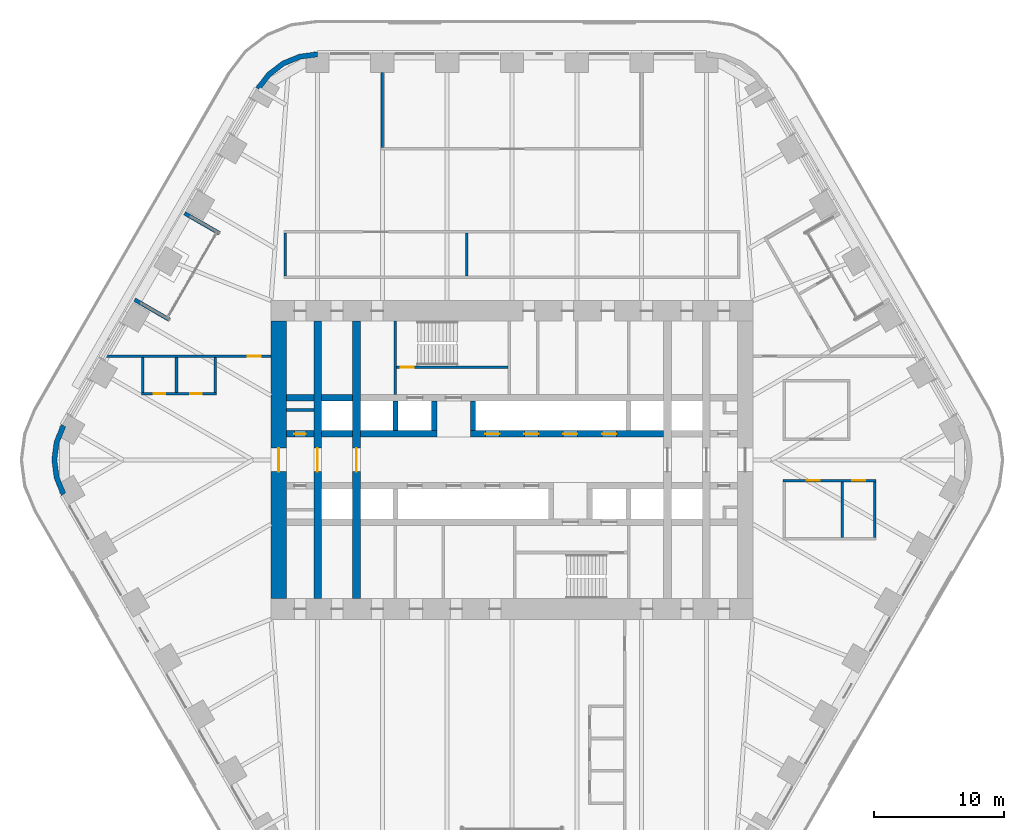
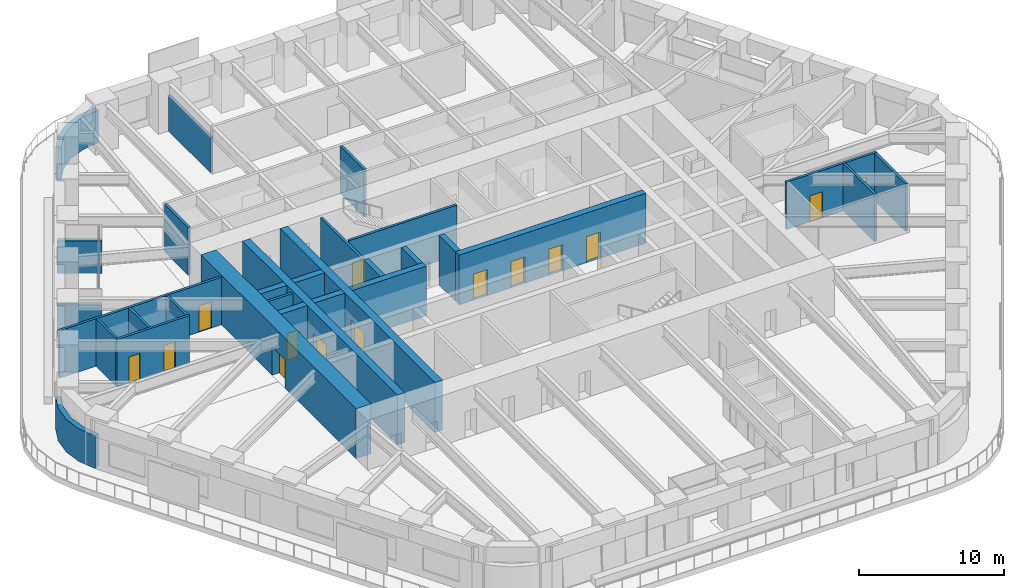
# One storey, part 19 of 24: 30 walls, 14 doors, 14 openings.
"""IFC4 building model written with IfcOpenShell, lengths in metres."""

from ifc_helpers import new_model, si_unit, direction, frame, frame_2d, origin, place, context, subcontext, project, spatial, polyline, rectangle, outline, extrude, material, layer, layer_set, type_object, element, fill, save


model = new_model("IFC4")

# Units and contexts
model_context = context("Model", 3, precision=1e-05, world=origin(), true_north=direction((0.0, 1.0)))
body_context = subcontext(model_context, "Body", "Model", "MODEL_VIEW")
ifc_project = project(units=[si_unit("LENGTHUNIT", "METRE"), si_unit("AREAUNIT", "SQUARE_METRE"), si_unit("VOLUMEUNIT", "CUBIC_METRE"), si_unit("PLANEANGLEUNIT", "RADIAN"), si_unit("MASSUNIT", "GRAM", prefix="KILO")], contexts=[model_context])

# Site, building, storey
site_placement = place(None, origin())
site = spatial("IfcSite", under=ifc_project, at=site_placement, CompositionType="ELEMENT")
building_placement = place(site_placement, origin())
building = spatial("IfcBuilding", under=site, at=building_placement, Name="Tarfa Lantern Tower", CompositionType="ELEMENT")
storey_placement = place(building_placement, frame((0.0, 0.0, 136.300048828125)))
storey = spatial("IfcBuildingStorey", under=building, at=storey_placement, Name="L30", CompositionType="ELEMENT", Elevation=136.300048828125)

# Walls
ifc_material_1 = material(Name="Limestone cladding on blockwork", Category="masonry")
ifc_layer_1 = layer(ifc_material_1, 0.300048828125)
ifc_layer_set_1 = layer_set([ifc_layer_1], Name="EW1 STONE-CLAD WALL 300")
wall_type_1 = type_object("IfcWallType", Name="EW1 STONE-CLAD WALL 300", PredefinedType="SOLIDWALL", material=ifc_layer_set_1)
wall_1_placement = place(storey_placement, frame((-25.266357421875, 19.037353515625, 0.0), z_axis=(0.0, 0.0, 1.0), x_axis=(0.86600983753, -0.500026960575, 0.0)))
element("IfcWall", 1, at=wall_1_placement, inside=storey, type_object=wall_type_1, Name="Loggia return NW 1", PredefinedType="SOLIDWALL", context=body_context, shape_type="SweptSolid", body=[
    extrude(rectangle(XDim=3.099853515625, YDim=0.300048828125, at=frame_2d((1.5498046875, 0.0))), origin(), (0.0, 0.0, 1.0), 2.75),
])
wall_2_placement = place(storey_placement, frame((-29.1201171875, 12.362548828125, 0.0), z_axis=(0.0, 0.0, 1.0), x_axis=(0.86602952684, -0.49999285859, 0.0)))
element("IfcWall", 2, at=wall_2_placement, inside=storey, type_object=wall_type_1, Name="Loggia return NW 2", PredefinedType="SOLIDWALL", context=body_context, shape_type="SweptSolid", body=[
    extrude(rectangle(XDim=3.10009765625, YDim=0.300048828125, at=frame_2d((1.550048828125, 0.0))), origin(), (0.0, 0.0, 1.0), 2.75),
])
ifc_layer_2 = layer(ifc_material_1, 0.39990234375)
ifc_layer_set_2 = layer_set([ifc_layer_2], Name="EW2 CURVED STONE CORNER 400")
wall_type_2 = type_object("IfcWallType", Name="EW2 CURVED STONE CORNER 400", PredefinedType="SOLIDWALL", material=ifc_layer_set_2)
wall_3_placement = place(storey_placement, origin())
element("IfcWall", 3, at=wall_3_placement, inside=storey, type_object=wall_type_2, Name="Stone corner N-NW", PredefinedType="SOLIDWALL", context=body_context, shape_type="SweptSolid", body=[
    extrude(outline(polyline([(-15.010986328125, 31.5), (-16.4345703125, 31.3125), (-17.760986328125, 30.76318359375), (-18.900146484375, 29.88916015625), (-19.774169921875, 28.75), (-19.427734375, 28.550048828125), (-18.617431640625, 29.606201171875), (-17.56103515625, 30.416748046875), (-16.3310546875, 30.92626953125), (-15.010986328125, 31.10009765625), (-15.010986328125, 31.5)])), origin(), (0.0, 0.0, 1.0), 2.75),
])
wall_4_placement = place(storey_placement, origin())
element("IfcWall", 4, at=wall_4_placement, inside=storey, type_object=wall_type_2, Name="Stone corner NW-SW", PredefinedType="SOLIDWALL", context=body_context, shape_type="SweptSolid", body=[
    extrude(outline(polyline([(-34.785400390625, 2.75), (-35.334716796875, 1.423583984375), (-35.522216796875, 0.0), (-35.334716796875, -1.423583984375), (-34.785400390625, -2.75), (-34.43896484375, -2.550048828125), (-34.948486328125, -1.320068359375), (-35.122314453125, 0.0), (-34.948486328125, 1.320068359375), (-34.43896484375, 2.550048828125), (-34.785400390625, 2.75)])), origin(), (0.0, 0.0, 1.0), 2.75),
])
ifc_material_2 = material(Name="Concrete blockwork", Category="masonry")
ifc_layer_3 = layer(ifc_material_2, 0.199951171875)
ifc_layer_set_3 = layer_set([ifc_layer_3], Name="IW1 BLOCKWORK PARTITION 200 EI 120")
wall_type_3 = type_object("IfcWallType", Name="IW1 BLOCKWORK PARTITION 200 EI 120", PredefinedType="PARTITIONING", material=ifc_layer_set_3)
wall_5_placement = place(storey_placement, frame((-9.0, 5.050048828125, 0.0), z_axis=(0.0, 0.0, 1.0), x_axis=(0.0, 1.0, 0.0)))
element("IfcWall", 5, at=wall_5_placement, inside=storey, type_object=wall_type_3, Name="Core partition", PredefinedType="PARTITIONING", context=body_context, shape_type="SweptSolid", body=[
    extrude(rectangle(XDim=5.64990234375, YDim=0.199951171875, at=frame_2d((2.824951171875, 0.0))), origin(), (0.0, 0.0, 1.0), 4.0),
])
wall_6_placement = place(storey_placement, frame((-17.39990234375, 3.85009765625, 0.0), z_axis=(0.0, 0.0, 1.0), x_axis=(1.0, 0.0, 0.0)))
element("IfcWall", 6, at=wall_6_placement, inside=storey, type_object=wall_type_3, Name="Core partition", PredefinedType="PARTITIONING", context=body_context, shape_type="SweptSolid", body=[
    extrude(rectangle(XDim=2.099853515625, YDim=0.199951171875, at=frame_2d((1.0498046875, 0.0))), origin(), (0.0, 0.0, 1.0), 4.0),
])
ifc_material_3 = material(Name="Gypsum board on steel studs", Category="steel")
ifc_layer_4 = layer(ifc_material_3, 0.2099609375)
ifc_layer_set_4 = layer_set([ifc_layer_4], Name="IW2 ACOUSTIC PARTITION 200")
wall_type_4 = type_object("IfcWallType", Name="IW2 ACOUSTIC PARTITION 200", PredefinedType="PARTITIONING", material=ifc_layer_set_4)
for number, where, z_axis, x_axis, name in (
    (7, (-17.5, 14.199951171875, 0.0), (0.0, 0.0, 1.0), (0.0, 1.0, 0.0), "Partition"),
    (8, (-3.5, 14.199951171875, 0.0), (0.0, 0.0, 1.0), (0.0, 1.0, 0.0), "Partition"),
):
    element("IfcWall", number, at=place(storey_placement, frame(where, z_axis=z_axis, x_axis=x_axis)), inside=storey, type_object=wall_type_4, Name=name, PredefinedType="PARTITIONING", context=body_context, shape_type="SweptSolid", body=[
        extrude(rectangle(XDim=3.300048828125, YDim=0.199951171875, at=frame_2d((1.64990234375, 0.0))), origin(), (0.0, 0.0, 1.0), 4.0),
    ])
wall_7_placement = place(storey_placement, frame((-10.00732421875, 24.10009765625, 0.0), z_axis=(0.0, 0.0, 1.0), x_axis=(0.0, 1.0, 0.0)))
element("IfcWall", 9, at=wall_7_placement, inside=storey, type_object=wall_type_4, Name="Partition", PredefinedType="PARTITIONING", context=body_context, shape_type="SweptSolid", body=[
    extrude(rectangle(XDim=5.7998046875, YDim=0.199951171875, at=frame_2d((2.89990234375, 0.0))), origin(), (0.0, 0.0, 1.0), 2.991943359375),
])

# Wall, openings, doors
wall_8_placement = place(storey_placement, frame((20.89990234375, -1.60009765625, 0.0), z_axis=(0.0, 0.0, 1.0), x_axis=(1.0, 0.0, 0.0)))
wall_8 = element("IfcWall", 10, at=wall_8_placement, inside=storey, type_object=wall_type_4, Name="Partition", PredefinedType="PARTITIONING", context=body_context, shape_type="SweptSolid", body=[
    extrude(rectangle(XDim=7.2001953125, YDim=0.199951171875, at=frame_2d((3.60009765625, 0.0))), origin(), (0.0, 0.0, 1.0), 4.0),
])
opening_1_placement = place(wall_8_placement, frame((1.85009765625, 0.0, 0.0)))
opening_1 = element("IfcOpeningElement", 11, at=opening_1_placement, cuts=wall_8, Name="Opening D34", PredefinedType="OPENING", context=body_context, shape_type="SweptSolid", body=[
    extrude(rectangle(XDim=1.0, YDim=2.199951171875, at=frame_2d((0.5, 1.10009765625))), frame((0.0, 0.10986328125, 0.0), z_axis=(0.0, -1.0, 0.0), x_axis=(1.0, 0.0, 0.0)), (0.0, 0.0, 1.0), 0.219970703125),
])
opening_2_placement = place(wall_8_placement, frame((5.35009765625, 0.0, 0.0)))
opening_2 = element("IfcOpeningElement", 12, at=opening_2_placement, cuts=wall_8, Name="Opening D35", PredefinedType="OPENING", context=body_context, shape_type="SweptSolid", body=[
    extrude(rectangle(XDim=1.0, YDim=2.199951171875, at=frame_2d((0.5, 1.10009765625))), frame((0.0, 0.10986328125, 0.0), z_axis=(0.0, -1.0, 0.0), x_axis=(1.0, 0.0, 0.0)), (0.0, 0.0, 1.0), 0.219970703125),
])
ifc_material_4 = material(Name="Timber door", Category="wood")
door_type_1 = type_object("IfcDoorType", Name="DR1 ROOM DOOR 1000x2200", OperationType="SINGLE_SWING_LEFT", PredefinedType="DOOR", material=ifc_material_4)
door_1_placement = place(opening_1_placement, frame((1.0, 0.0, 0.0), z_axis=(0.0, 0.0, 1.0), x_axis=(-1.0, 0.0, 0.0)))
door_1 = element("IfcDoor", 13, at=door_1_placement, inside=storey, type_object=door_type_1, Name="Pantry door", OperationType="SINGLE_SWING_LEFT", OverallHeight=2.199951171875, OverallWidth=1.0, PredefinedType="DOOR", context=body_context, shape_type="SweptSolid", body=[
    extrude(rectangle(XDim=1.0, YDim=2.199951171875, at=frame_2d((0.5, 1.10009765625))), frame((0.0, 0.02490234375, 0.0), z_axis=(0.0, -1.0, 0.0), x_axis=(1.0, 0.0, 0.0)), (0.0, 0.0, 1.0), 0.050048828125),
])
fill(opening_1, door_1)
door_2_placement = place(opening_2_placement, frame((1.0, 0.0, 0.0), z_axis=(0.0, 0.0, 1.0), x_axis=(-1.0, 0.0, 0.0)))
door_2 = element("IfcDoor", 14, at=door_2_placement, inside=storey, type_object=door_type_1, Name="Print room door", OperationType="SINGLE_SWING_RIGHT", OverallHeight=2.199951171875, OverallWidth=1.0, PredefinedType="DOOR", context=body_context, shape_type="SweptSolid", body=[
    extrude(rectangle(XDim=1.0, YDim=2.199951171875, at=frame_2d((0.5, 1.10009765625))), frame((0.0, 0.02490234375, 0.0), z_axis=(0.0, -1.0, 0.0), x_axis=(1.0, 0.0, 0.0)), (0.0, 0.0, 1.0), 0.050048828125),
])
fill(opening_2, door_2)

# Walls
for number, where, z_axis, x_axis, name in (
    (15, (25.5, -1.699951171875, 0.0), (0.0, 0.0, 1.0), (0.0, -1.0, 0.0), "Partition"),
    (16, (28.0, -1.699951171875, 0.0), (0.0, 0.0, 1.0), (0.0, -1.0, 0.0), "Partition"),
):
    element("IfcWall", number, at=place(storey_placement, frame(where, z_axis=z_axis, x_axis=x_axis)), inside=storey, type_object=wall_type_4, Name=name, PredefinedType="PARTITIONING", context=body_context, shape_type="SweptSolid", body=[
        extrude(rectangle(XDim=4.300048828125, YDim=0.199951171875, at=frame_2d((2.14990234375, 0.0))), origin(), (0.0, 0.0, 1.0), 4.0),
    ])

# Wall, opening, door
wall_9_placement = place(storey_placement, frame((-18.60009765625, 8.0, 0.0), z_axis=(0.0, 0.0, 1.0), x_axis=(-1.0, 0.0, 0.0)))
wall_9 = element("IfcWall", 17, at=wall_9_placement, inside=storey, type_object=wall_type_4, Name="Partition", PredefinedType="PARTITIONING", context=body_context, shape_type="SweptSolid", body=[
    extrude(rectangle(XDim=12.89990234375, YDim=0.199951171875, at=frame_2d((6.449951171875, 0.0))), origin(), (0.0, 0.0, 1.0), 4.0),
])
opening_3_placement = place(wall_9_placement, frame((0.7900390625, 0.0, 0.0)))
opening_3 = element("IfcOpeningElement", 18, at=opening_3_placement, cuts=wall_9, Name="Opening D48", PredefinedType="OPENING", context=body_context, shape_type="SweptSolid", body=[
    extrude(rectangle(XDim=1.0, YDim=2.199951171875, at=frame_2d((0.5, 1.10009765625))), frame((0.0, 0.10986328125, 0.0), z_axis=(0.0, -1.0, 0.0), x_axis=(1.0, 0.0, 0.0)), (0.0, 0.0, 1.0), 0.219970703125),
])
door_3_placement = place(opening_3_placement, frame((1.0, 0.0, 0.0), z_axis=(0.0, 0.0, 1.0), x_axis=(-1.0, 0.0, 0.0)))
door_3 = element("IfcDoor", 19, at=door_3_placement, inside=storey, type_object=door_type_1, Name="Zone door", OperationType="SINGLE_SWING_LEFT", OverallHeight=2.199951171875, OverallWidth=1.0, PredefinedType="DOOR", context=body_context, shape_type="SweptSolid", body=[
    extrude(rectangle(XDim=1.0, YDim=2.199951171875, at=frame_2d((0.5, 1.10009765625))), frame((0.0, 0.02490234375, 0.0), z_axis=(0.0, -1.0, 0.0), x_axis=(1.0, 0.0, 0.0)), (0.0, 0.0, 1.0), 0.050048828125),
])
fill(opening_3, door_3)

# Wall, openings, doors
wall_10_placement = place(storey_placement, frame((-22.795166015625, 5.10009765625, 0.0), z_axis=(0.0, 0.0, 1.0), x_axis=(-1.0, 0.0, 0.0)))
wall_10 = element("IfcWall", 20, at=wall_10_placement, inside=storey, type_object=wall_type_4, Name="Partition", PredefinedType="PARTITIONING", context=body_context, shape_type="SweptSolid", body=[
    extrude(rectangle(XDim=5.7998046875, YDim=0.199951171875, at=frame_2d((2.89990234375, 0.0))), origin(), (0.0, 0.0, 1.0), 4.0),
])
opening_4_placement = place(wall_10_placement, frame((1.14990234375, 0.0, 0.0)))
opening_4 = element("IfcOpeningElement", 21, at=opening_4_placement, cuts=wall_10, Name="Opening D41", PredefinedType="OPENING", context=body_context, shape_type="SweptSolid", body=[
    extrude(rectangle(XDim=0.89990234375, YDim=2.199951171875, at=frame_2d((0.449951171875, 1.10009765625))), frame((0.0, 0.10986328125, 0.0), z_axis=(0.0, -1.0, 0.0), x_axis=(1.0, 0.0, 0.0)), (0.0, 0.0, 1.0), 0.219970703125),
])
opening_5_placement = place(wall_10_placement, frame((3.949951171875, 0.0, 0.0)))
opening_5 = element("IfcOpeningElement", 22, at=opening_5_placement, cuts=wall_10, Name="Opening D42", PredefinedType="OPENING", context=body_context, shape_type="SweptSolid", body=[
    extrude(rectangle(XDim=0.89990234375, YDim=2.199951171875, at=frame_2d((0.449951171875, 1.10009765625))), frame((0.0, 0.10986328125, 0.0), z_axis=(0.0, -1.0, 0.0), x_axis=(1.0, 0.0, 0.0)), (0.0, 0.0, 1.0), 0.219970703125),
])
door_type_2 = type_object("IfcDoorType", Name="DR3 ROOM DOOR 900x2200", OperationType="SINGLE_SWING_LEFT", PredefinedType="DOOR", material=ifc_material_4)
door_4_placement = place(opening_4_placement, frame((0.89990234375, 0.0, 0.0), z_axis=(0.0, 0.0, 1.0), x_axis=(-1.0, 0.0, 0.0)))
door_4 = element("IfcDoor", 23, at=door_4_placement, inside=storey, type_object=door_type_2, Name="Wellness room door", OperationType="SINGLE_SWING_LEFT", OverallHeight=2.199951171875, OverallWidth=0.89990234375, PredefinedType="DOOR", context=body_context, shape_type="SweptSolid", body=[
    extrude(rectangle(XDim=0.89990234375, YDim=2.199951171875, at=frame_2d((0.449951171875, 1.10009765625))), frame((0.0, 0.02490234375, 0.0), z_axis=(0.0, -1.0, 0.0), x_axis=(1.0, 0.0, 0.0)), (0.0, 0.0, 1.0), 0.050048828125),
])
fill(opening_4, door_4)
door_5_placement = place(opening_5_placement, frame((0.89990234375, 0.0, 0.0), z_axis=(0.0, 0.0, 1.0), x_axis=(-1.0, 0.0, 0.0)))
door_5 = element("IfcDoor", 24, at=door_5_placement, inside=storey, type_object=door_type_2, Name="Quiet room door", OperationType="SINGLE_SWING_RIGHT", OverallHeight=2.199951171875, OverallWidth=0.89990234375, PredefinedType="DOOR", context=body_context, shape_type="SweptSolid", body=[
    extrude(rectangle(XDim=0.89990234375, YDim=2.199951171875, at=frame_2d((0.449951171875, 1.10009765625))), frame((0.0, 0.02490234375, 0.0), z_axis=(0.0, -1.0, 0.0), x_axis=(1.0, 0.0, 0.0)), (0.0, 0.0, 1.0), 0.050048828125),
])
fill(opening_5, door_5)

# Walls
for number, where, z_axis, x_axis, name in (
    (25, (-22.89501953125, 7.89990234375, 0.0), (0.0, 0.0, 1.0), (0.0, -1.0, 0.0), "Partition"),
    (26, (-25.89501953125, 7.89990234375, 0.0), (0.0, 0.0, 1.0), (0.0, -1.0, 0.0), "Partition"),
    (27, (-28.4951171875, 7.89990234375, 0.0), (0.0, 0.0, 1.0), (0.0, -1.0, 0.0), "Partition"),
):
    element("IfcWall", number, at=place(storey_placement, frame(where, z_axis=z_axis, x_axis=x_axis)), inside=storey, type_object=wall_type_4, Name=name, PredefinedType="PARTITIONING", context=body_context, shape_type="SweptSolid", body=[
        extrude(rectangle(XDim=2.699951171875, YDim=0.199951171875, at=frame_2d((1.35009765625, 0.0))), origin(), (0.0, 0.0, 1.0), 4.0),
    ])

# Wall, opening, door
ifc_material_5 = material(Name="Concrete C80/95", Category="concrete")
ifc_layer_5 = layer(ifc_material_5, 1.199951171875)
ifc_layer_set_5 = layer_set([ifc_layer_5], Name="SW1 CORE WALL 1200")
wall_type_5 = type_object("IfcWallType", Name="SW1 CORE WALL 1200", PredefinedType="SHEAR", material=ifc_layer_set_5)
wall_11_placement = place(storey_placement, frame((-18.0, 10.699951171875, 0.0), z_axis=(0.0, 0.0, 1.0), x_axis=(0.0, -1.0, 0.0)))
wall_11 = element("IfcWall", 28, at=wall_11_placement, inside=storey, type_object=wall_type_5, Name="Core wall W", PredefinedType="SHEAR", context=body_context, shape_type="SweptSolid", body=[
    extrude(rectangle(XDim=21.39990234375, YDim=1.199951171875, at=frame_2d((10.699951171875, 0.0))), origin(), (0.0, 0.0, 1.0), 4.199951171875),
])
opening_6_placement = place(wall_11_placement, frame((9.800048828125, 0.0, 0.0)))
opening_6 = element("IfcOpeningElement", 29, at=opening_6_placement, cuts=wall_11, Name="Opening D16", PredefinedType="OPENING", context=body_context, shape_type="SweptSolid", body=[
    extrude(rectangle(XDim=1.800048828125, YDim=2.39990234375, at=frame_2d((0.89990234375, 1.199951171875))), frame((0.0, 0.60986328125, 0.0), z_axis=(0.0, -1.0, 0.0), x_axis=(1.0, 0.0, 0.0)), (0.0, 0.0, 1.0), 1.219970703125),
])
ifc_material_6 = material(Name="Steel fire door", Category="steel")
door_type_3 = type_object("IfcDoorType", Name="DL1 LOBBY DOOR 1800x2400", OperationType="DOUBLE_DOOR_SINGLE_SWING", PredefinedType="DOOR", material=ifc_material_6)
door_6_placement = place(opening_6_placement, frame((1.800048828125, 0.0, 0.0), z_axis=(0.0, 0.0, 1.0), x_axis=(-1.0, 0.0, 0.0)))
door_6 = element("IfcDoor", 30, at=door_6_placement, inside=storey, type_object=door_type_3, Name="Lift lobby door", OperationType="DOUBLE_DOOR_SINGLE_SWING", OverallHeight=2.39990234375, OverallWidth=1.800048828125, PredefinedType="DOOR", context=body_context, shape_type="SweptSolid", body=[
    extrude(rectangle(XDim=1.800048828125, YDim=2.39990234375, at=frame_2d((0.89990234375, 1.199951171875))), frame((0.0, 0.02490234375, 0.0), z_axis=(0.0, -1.0, 0.0), x_axis=(1.0, 0.0, 0.0)), (0.0, 0.0, 1.0), 0.050048828125),
])
fill(opening_6, door_6)

ifc_layer_6 = layer(ifc_material_5, 0.199951171875)
ifc_layer_set_6 = layer_set([ifc_layer_6], Name="SW12 CORE WALL 200")
wall_type_6 = type_object("IfcWallType", Name="SW12 CORE WALL 200", PredefinedType="SHEAR", material=ifc_layer_set_6)
wall_12_placement = place(storey_placement, frame((-8.89990234375, 7.14990234375, 0.0), z_axis=(0.0, 0.0, 1.0), x_axis=(1.0, 0.0, 0.0)))
wall_12 = element("IfcWall", 31, at=wall_12_placement, inside=storey, type_object=wall_type_6, Name="Core wall stair partition N", PredefinedType="SHEAR", context=body_context, shape_type="SweptSolid", body=[
    extrude(rectangle(XDim=8.599853515625, YDim=0.199951171875, at=frame_2d((4.2998046875, 0.0))), origin(), (0.0, 0.0, 1.0), 4.199951171875),
])
opening_7_placement = place(wall_12_placement, frame((0.300048828125, 0.0, 0.0)))
opening_7 = element("IfcOpeningElement", 32, at=opening_7_placement, cuts=wall_12, Name="Opening D27", PredefinedType="OPENING", context=body_context, shape_type="SweptSolid", body=[
    extrude(rectangle(XDim=1.0, YDim=2.199951171875, at=frame_2d((0.5, 1.10009765625))), frame((0.0, 0.10986328125, 0.0), z_axis=(0.0, -1.0, 0.0), x_axis=(1.0, 0.0, 0.0)), (0.0, 0.0, 1.0), 0.219970703125),
])
door_type_4 = type_object("IfcDoorType", Name="DF2 STAIR DOOR 1000x2200", OperationType="SINGLE_SWING_LEFT", PredefinedType="DOOR", material=ifc_material_6)
door_7_placement = place(opening_7_placement, origin())
door_7 = element("IfcDoor", 33, at=door_7_placement, inside=storey, type_object=door_type_4, Name="Stair door", OperationType="SINGLE_SWING_RIGHT", OverallHeight=2.199951171875, OverallWidth=1.0, PredefinedType="DOOR", context=body_context, shape_type="SweptSolid", body=[
    extrude(rectangle(XDim=1.0, YDim=2.199951171875, at=frame_2d((0.5, 1.10009765625))), frame((0.0, 0.02490234375, 0.0), z_axis=(0.0, -1.0, 0.0), x_axis=(1.0, 0.0, 0.0)), (0.0, 0.0, 1.0), 0.050048828125),
])
fill(opening_7, door_7)

ifc_layer_7 = layer(ifc_material_5, 0.5)
ifc_layer_set_7 = layer_set([ifc_layer_7], Name="SW5 CORE WALL 500")
wall_type_7 = type_object("IfcWallType", Name="SW5 CORE WALL 500", PredefinedType="SHEAR", material=ifc_layer_set_7)
wall_13_placement = place(storey_placement, frame((-17.39990234375, 2.0, 0.0), z_axis=(0.0, 0.0, 1.0), x_axis=(1.0, 0.0, 0.0)))
wall_13 = element("IfcWall", 34, at=wall_13_placement, inside=storey, type_object=wall_type_7, Name="Core wall lobby west N", PredefinedType="SHEAR", context=body_context, shape_type="SweptSolid", body=[
    extrude(rectangle(XDim=2.099853515625, YDim=0.5, at=frame_2d((1.0498046875, 0.0))), origin(), (0.0, 0.0, 1.0), 4.199951171875),
])
opening_8_placement = place(wall_13_placement, frame((0.60009765625, 0.0, 0.0)))
opening_8 = element("IfcOpeningElement", 35, at=opening_8_placement, cuts=wall_13, Name="Opening D19", PredefinedType="OPENING", context=body_context, shape_type="SweptSolid", body=[
    extrude(rectangle(XDim=0.89990234375, YDim=2.199951171875, at=frame_2d((0.449951171875, 1.10009765625))), frame((0.0, 0.260009765625, 0.0), z_axis=(0.0, -1.0, 0.0), x_axis=(1.0, 0.0, 0.0)), (0.0, 0.0, 1.0), 0.52001953125),
])
door_type_5 = type_object("IfcDoorType", Name="DF6 SERVICE ROOM DOOR 900x2200", OperationType="SINGLE_SWING_LEFT", PredefinedType="DOOR", material=ifc_material_6)
door_8_placement = place(opening_8_placement, origin())
door_8 = element("IfcDoor", 36, at=door_8_placement, inside=storey, type_object=door_type_5, Name="Service room door", OperationType="SINGLE_SWING_LEFT", OverallHeight=2.199951171875, OverallWidth=0.89990234375, PredefinedType="DOOR", context=body_context, shape_type="SweptSolid", body=[
    extrude(rectangle(XDim=0.89990234375, YDim=2.199951171875, at=frame_2d((0.449951171875, 1.10009765625))), frame((0.0, 0.02490234375, 0.0), z_axis=(0.0, -1.0, 0.0), x_axis=(1.0, 0.0, 0.0)), (0.0, 0.0, 1.0), 0.050048828125),
])
fill(opening_8, door_8)

# Walls
wall_14_placement = place(storey_placement, frame((-14.699951171875, 2.0, 0.0), z_axis=(0.0, 0.0, 1.0), x_axis=(1.0, 0.0, 0.0)))
element("IfcWall", 37, at=wall_14_placement, inside=storey, type_object=wall_type_7, Name="Core wall lobby west N", PredefinedType="SHEAR", context=body_context, shape_type="SweptSolid", body=[
    extrude(rectangle(XDim=2.39990234375, YDim=0.5, at=frame_2d((1.199951171875, 0.0))), origin(), (0.0, 0.0, 1.0), 4.199951171875),
])
wall_15_placement = place(storey_placement, frame((-11.699951171875, 2.0, 0.0), z_axis=(0.0, 0.0, 1.0), x_axis=(1.0, 0.0, 0.0)))
element("IfcWall", 38, at=wall_15_placement, inside=storey, type_object=wall_type_7, Name="Core wall lobby west N", PredefinedType="SHEAR", context=body_context, shape_type="SweptSolid", body=[
    extrude(rectangle(XDim=5.89990234375, YDim=0.5, at=frame_2d((2.949951171875, 0.0))), origin(), (0.0, 0.0, 1.0), 4.199951171875),
])

# Wall, openings, doors
wall_16_placement = place(storey_placement, frame((-3.199951171875, 2.0, 0.0), z_axis=(0.0, 0.0, 1.0), x_axis=(1.0, 0.0, 0.0)))
wall_16 = element("IfcWall", 39, at=wall_16_placement, inside=storey, type_object=wall_type_7, Name="Core wall lobby east N", PredefinedType="SHEAR", context=body_context, shape_type="SweptSolid", body=[
    extrude(rectangle(XDim=14.89990234375, YDim=0.5, at=frame_2d((7.449951171875, 0.0))), origin(), (0.0, 0.0, 1.0), 4.199951171875),
])
opening_9_placement = place(wall_16_placement, frame((1.14990234375, 0.0, 0.0)))
opening_9 = element("IfcOpeningElement", 40, at=opening_9_placement, cuts=wall_16, Name="Opening LD03", PredefinedType="OPENING", context=body_context, shape_type="SweptSolid", body=[
    extrude(rectangle(XDim=1.10009765625, YDim=2.199951171875, at=frame_2d((0.550048828125, 1.10009765625))), frame((0.0, 0.260009765625, 0.0), z_axis=(0.0, -1.0, 0.0), x_axis=(1.0, 0.0, 0.0)), (0.0, 0.0, 1.0), 0.52001953125),
])
opening_10_placement = place(wall_16_placement, frame((4.14990234375, 0.0, 0.0)))
opening_10 = element("IfcOpeningElement", 41, at=opening_10_placement, cuts=wall_16, Name="Opening LD04", PredefinedType="OPENING", context=body_context, shape_type="SweptSolid", body=[
    extrude(rectangle(XDim=1.10009765625, YDim=2.199951171875, at=frame_2d((0.550048828125, 1.10009765625))), frame((0.0, 0.260009765625, 0.0), z_axis=(0.0, -1.0, 0.0), x_axis=(1.0, 0.0, 0.0)), (0.0, 0.0, 1.0), 0.52001953125),
])
opening_11_placement = place(wall_16_placement, frame((7.14990234375, 0.0, 0.0)))
opening_11 = element("IfcOpeningElement", 42, at=opening_11_placement, cuts=wall_16, Name="Opening LD05", PredefinedType="OPENING", context=body_context, shape_type="SweptSolid", body=[
    extrude(rectangle(XDim=1.10009765625, YDim=2.199951171875, at=frame_2d((0.550048828125, 1.10009765625))), frame((0.0, 0.260009765625, 0.0), z_axis=(0.0, -1.0, 0.0), x_axis=(1.0, 0.0, 0.0)), (0.0, 0.0, 1.0), 0.52001953125),
])
opening_12_placement = place(wall_16_placement, frame((10.14990234375, 0.0, 0.0)))
opening_12 = element("IfcOpeningElement", 43, at=opening_12_placement, cuts=wall_16, Name="Opening LD06", PredefinedType="OPENING", context=body_context, shape_type="SweptSolid", body=[
    extrude(rectangle(XDim=1.10009765625, YDim=2.199951171875, at=frame_2d((0.550048828125, 1.10009765625))), frame((0.0, 0.260009765625, 0.0), z_axis=(0.0, -1.0, 0.0), x_axis=(1.0, 0.0, 0.0)), (0.0, 0.0, 1.0), 0.52001953125),
])
ifc_material_7 = material(Name="Stainless steel lift door", Category="steel")
door_type_6 = type_object("IfcDoorType", Name="LD2 LIFT LANDING DOOR 1100x2200", OperationType="SLIDING_TO_LEFT", PredefinedType="DOOR", material=ifc_material_7)
door_9_placement = place(opening_9_placement, frame((1.10009765625, 0.0, 0.0), z_axis=(0.0, 0.0, 1.0), x_axis=(-1.0, 0.0, 0.0)))
door_9 = element("IfcDoor", 44, at=door_9_placement, inside=storey, type_object=door_type_6, Name="Landing door PB1", OperationType="SLIDING_TO_LEFT", OverallHeight=2.199951171875, OverallWidth=1.10009765625, PredefinedType="DOOR", context=body_context, shape_type="SweptSolid", body=[
    extrude(rectangle(XDim=1.10009765625, YDim=2.199951171875, at=frame_2d((0.550048828125, 1.10009765625))), frame((0.0, 0.02490234375, 0.0), z_axis=(0.0, -1.0, 0.0), x_axis=(1.0, 0.0, 0.0)), (0.0, 0.0, 1.0), 0.050048828125),
])
fill(opening_9, door_9)
door_10_placement = place(opening_10_placement, frame((1.10009765625, 0.0, 0.0), z_axis=(0.0, 0.0, 1.0), x_axis=(-1.0, 0.0, 0.0)))
door_10 = element("IfcDoor", 45, at=door_10_placement, inside=storey, type_object=door_type_6, Name="Landing door PB2", OperationType="SLIDING_TO_LEFT", OverallHeight=2.199951171875, OverallWidth=1.10009765625, PredefinedType="DOOR", context=body_context, shape_type="SweptSolid", body=[
    extrude(rectangle(XDim=1.10009765625, YDim=2.199951171875, at=frame_2d((0.550048828125, 1.10009765625))), frame((0.0, 0.02490234375, 0.0), z_axis=(0.0, -1.0, 0.0), x_axis=(1.0, 0.0, 0.0)), (0.0, 0.0, 1.0), 0.050048828125),
])
fill(opening_10, door_10)
door_11_placement = place(opening_11_placement, frame((1.10009765625, 0.0, 0.0), z_axis=(0.0, 0.0, 1.0), x_axis=(-1.0, 0.0, 0.0)))
door_11 = element("IfcDoor", 46, at=door_11_placement, inside=storey, type_object=door_type_6, Name="Landing door PB3", OperationType="SLIDING_TO_LEFT", OverallHeight=2.199951171875, OverallWidth=1.10009765625, PredefinedType="DOOR", context=body_context, shape_type="SweptSolid", body=[
    extrude(rectangle(XDim=1.10009765625, YDim=2.199951171875, at=frame_2d((0.550048828125, 1.10009765625))), frame((0.0, 0.02490234375, 0.0), z_axis=(0.0, -1.0, 0.0), x_axis=(1.0, 0.0, 0.0)), (0.0, 0.0, 1.0), 0.050048828125),
])
fill(opening_11, door_11)
door_12_placement = place(opening_12_placement, frame((1.10009765625, 0.0, 0.0), z_axis=(0.0, 0.0, 1.0), x_axis=(-1.0, 0.0, 0.0)))
door_12 = element("IfcDoor", 47, at=door_12_placement, inside=storey, type_object=door_type_6, Name="Landing door PB4", OperationType="SLIDING_TO_LEFT", OverallHeight=2.199951171875, OverallWidth=1.10009765625, PredefinedType="DOOR", context=body_context, shape_type="SweptSolid", body=[
    extrude(rectangle(XDim=1.10009765625, YDim=2.199951171875, at=frame_2d((0.550048828125, 1.10009765625))), frame((0.0, 0.02490234375, 0.0), z_axis=(0.0, -1.0, 0.0), x_axis=(1.0, 0.0, 0.0)), (0.0, 0.0, 1.0), 0.050048828125),
])
fill(opening_12, door_12)

# Walls
wall_17_placement = place(storey_placement, frame((-17.39990234375, 4.800048828125, 0.0), z_axis=(0.0, 0.0, 1.0), x_axis=(1.0, 0.0, 0.0)))
element("IfcWall", 48, at=wall_17_placement, inside=storey, type_object=wall_type_7, Name="Core wall rear N", PredefinedType="SHEAR", context=body_context, shape_type="SweptSolid", body=[
    extrude(rectangle(XDim=2.099853515625, YDim=0.5, at=frame_2d((1.0498046875, 0.0))), origin(), (0.0, 0.0, 1.0), 4.199951171875),
])
wall_18_placement = place(storey_placement, frame((-14.699951171875, 4.800048828125, 0.0), z_axis=(0.0, 0.0, 1.0), x_axis=(1.0, 0.0, 0.0)))
element("IfcWall", 49, at=wall_18_placement, inside=storey, type_object=wall_type_7, Name="Core wall rear N", PredefinedType="SHEAR", context=body_context, shape_type="SweptSolid", body=[
    extrude(rectangle(XDim=2.39990234375, YDim=0.5, at=frame_2d((1.199951171875, 0.0))), origin(), (0.0, 0.0, 1.0), 4.199951171875),
])
ifc_layer_8 = layer(ifc_material_5, 0.39990234375)
ifc_layer_set_8 = layer_set([ifc_layer_8], Name="SW6 CORE WALL 400")
wall_type_8 = type_object("IfcWallType", Name="SW6 CORE WALL 400", PredefinedType="SHEAR", material=ifc_layer_set_8)
for number, where, z_axis, x_axis, name in (
    (50, (-9.0, 2.25, 0.0), (0.0, 0.0, 1.0), (0.0, 1.0, 0.0), "Core wall divider N"),
    (51, (-6.0, 2.25, 0.0), (0.0, 0.0, 1.0), (0.0, 1.0, 0.0), "Core wall divider N"),
    (52, (-3.0, 2.25, 0.0), (0.0, 0.0, 1.0), (0.0, 1.0, 0.0), "Core wall divider N"),
):
    element("IfcWall", number, at=place(storey_placement, frame(where, z_axis=z_axis, x_axis=x_axis)), inside=storey, type_object=wall_type_8, Name=name, PredefinedType="SHEAR", context=body_context, shape_type="SweptSolid", body=[
        extrude(rectangle(XDim=2.300048828125, YDim=0.39990234375, at=frame_2d((1.14990234375, 0.0))), origin(), (0.0, 0.0, 1.0), 4.199951171875),
    ])

# Wall, opening, door
ifc_layer_9 = layer(ifc_material_5, 0.60009765625)
ifc_layer_set_9 = layer_set([ifc_layer_9], Name="SW9 CORE WALL 600")
wall_type_9 = type_object("IfcWallType", Name="SW9 CORE WALL 600", PredefinedType="SHEAR", material=ifc_layer_set_9)
wall_19_placement = place(storey_placement, frame((-12.0, -10.699951171875, 0.0), z_axis=(0.0, 0.0, 1.0), x_axis=(0.0, 1.0, 0.0)))
wall_19 = element("IfcWall", 53, at=wall_19_placement, inside=storey, type_object=wall_type_9, Name="Core wall cross 12 m west", PredefinedType="SHEAR", context=body_context, shape_type="SweptSolid", body=[
    extrude(rectangle(XDim=21.39990234375, YDim=0.60009765625, at=frame_2d((10.699951171875, 0.0))), origin(), (0.0, 0.0, 1.0), 4.199951171875),
])
opening_13_placement = place(wall_19_placement, frame((9.800048828125, 0.0, 0.0)))
opening_13 = element("IfcOpeningElement", 54, at=opening_13_placement, cuts=wall_19, Name="Opening D31", PredefinedType="OPENING", context=body_context, shape_type="SweptSolid", body=[
    extrude(rectangle(XDim=1.800048828125, YDim=2.39990234375, at=frame_2d((0.89990234375, 1.199951171875))), frame((0.0, 0.31005859375, 0.0), z_axis=(0.0, -1.0, 0.0), x_axis=(1.0, 0.0, 0.0)), (0.0, 0.0, 1.0), 0.6201171875),
])
door_13_placement = place(opening_13_placement, origin())
door_13 = element("IfcDoor", 55, at=door_13_placement, inside=storey, type_object=door_type_3, Name="Lift lobby door", OperationType="DOUBLE_DOOR_SINGLE_SWING", OverallHeight=2.39990234375, OverallWidth=1.800048828125, PredefinedType="DOOR", context=body_context, shape_type="SweptSolid", body=[
    extrude(rectangle(XDim=1.800048828125, YDim=2.39990234375, at=frame_2d((0.89990234375, 1.199951171875))), frame((0.0, 0.02490234375, 0.0), z_axis=(0.0, -1.0, 0.0), x_axis=(1.0, 0.0, 0.0)), (0.0, 0.0, 1.0), 0.050048828125),
])
fill(opening_13, door_13)

wall_20_placement = place(storey_placement, frame((-15.0, -10.699951171875, 0.0), z_axis=(0.0, 0.0, 1.0), x_axis=(0.0, 1.0, 0.0)))
wall_20 = element("IfcWall", 56, at=wall_20_placement, inside=storey, type_object=wall_type_9, Name="Core wall cross 15 m west", PredefinedType="SHEAR", context=body_context, shape_type="SweptSolid", body=[
    extrude(rectangle(XDim=21.39990234375, YDim=0.60009765625, at=frame_2d((10.699951171875, 0.0))), origin(), (0.0, 0.0, 1.0), 4.199951171875),
])
opening_14_placement = place(wall_20_placement, frame((9.800048828125, 0.0, 0.0)))
opening_14 = element("IfcOpeningElement", 57, at=opening_14_placement, cuts=wall_20, Name="Opening D32", PredefinedType="OPENING", context=body_context, shape_type="SweptSolid", body=[
    extrude(rectangle(XDim=1.800048828125, YDim=2.39990234375, at=frame_2d((0.89990234375, 1.199951171875))), frame((0.0, 0.31005859375, 0.0), z_axis=(0.0, -1.0, 0.0), x_axis=(1.0, 0.0, 0.0)), (0.0, 0.0, 1.0), 0.6201171875),
])
door_14_placement = place(opening_14_placement, origin())
door_14 = element("IfcDoor", 58, at=door_14_placement, inside=storey, type_object=door_type_3, Name="Lift lobby door", OperationType="DOUBLE_DOOR_SINGLE_SWING", OverallHeight=2.39990234375, OverallWidth=1.800048828125, PredefinedType="DOOR", context=body_context, shape_type="SweptSolid", body=[
    extrude(rectangle(XDim=1.800048828125, YDim=2.39990234375, at=frame_2d((0.89990234375, 1.199951171875))), frame((0.0, 0.02490234375, 0.0), z_axis=(0.0, -1.0, 0.0), x_axis=(1.0, 0.0, 0.0)), (0.0, 0.0, 1.0), 0.050048828125),
])
fill(opening_14, door_14)

save(model, "model.ifc")
